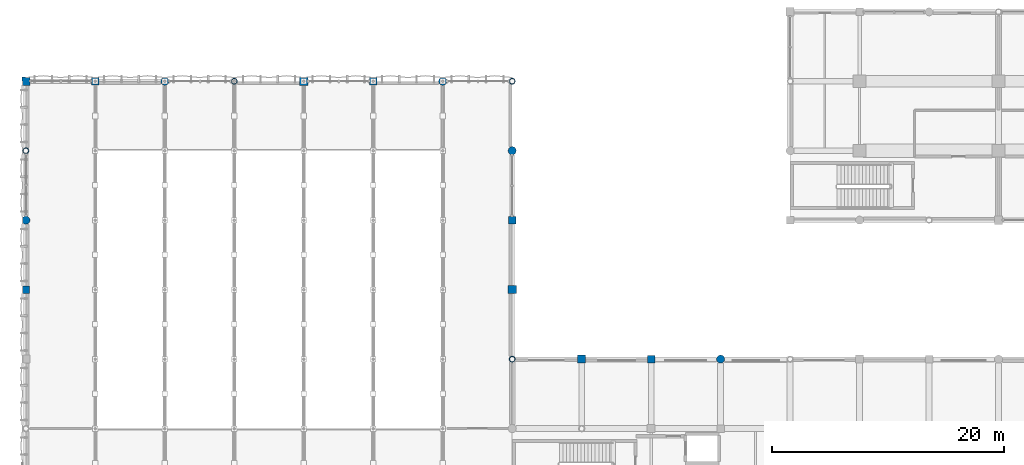
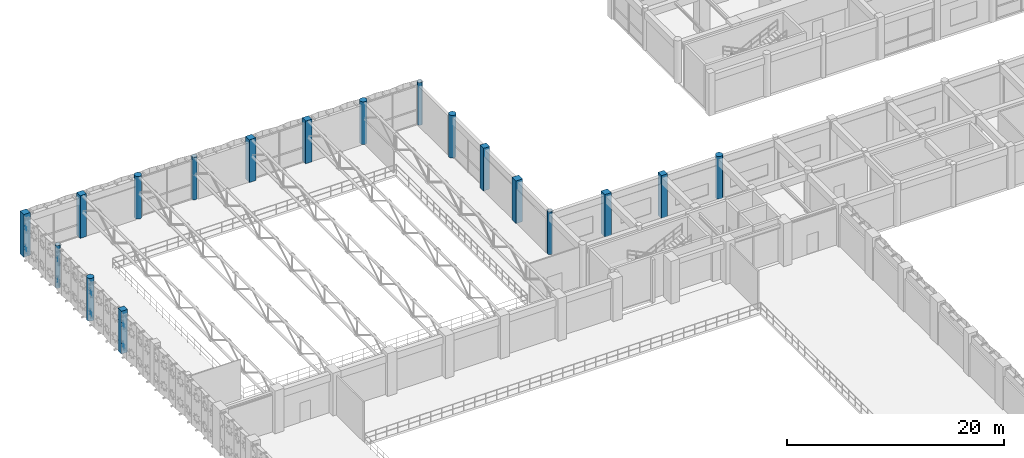
# One storey, part 7 of 123: 18 columns.
"""IFC4 building model written with IfcOpenShell, lengths in metres."""

from ifc_helpers import new_model, si_unit, direction, frame, origin, origin_2d, place, context, subcontext, project, spatial, rectangle, circle, hollow_circle, extrude, material, material_profile, profile_set, type_object, element, save


model = new_model("IFC4")

# Units and contexts
model_context = context("Model", 3, precision=1e-05, world=origin(), true_north=direction((0.0, 1.0)))
body_context = subcontext(model_context, "Body", "Model", "MODEL_VIEW")
ifc_project = project(units=[si_unit("LENGTHUNIT", "METRE"), si_unit("AREAUNIT", "SQUARE_METRE"), si_unit("VOLUMEUNIT", "CUBIC_METRE"), si_unit("PLANEANGLEUNIT", "RADIAN"), si_unit("MASSUNIT", "GRAM", prefix="KILO"), si_unit("THERMODYNAMICTEMPERATUREUNIT", "KELVIN"), si_unit("POWERUNIT", "WATT")], contexts=[model_context])

# Site, building, storey
site_placement = place(None, origin())
site = spatial("IfcSite", under=ifc_project, at=site_placement, CompositionType="ELEMENT")
building_placement = place(site_placement, origin())
building = spatial("IfcBuilding", under=site, at=building_placement, Name="Phaisarnlok Congress Hotel", CompositionType="ELEMENT")
storey_placement = place(building_placement, frame((0.0, 0.0, 15.0)))
storey = spatial("IfcBuildingStorey", under=building, at=storey_placement, Name="L03", CompositionType="ELEMENT", Elevation=15.0)

# Columns
ifc_material_1 = material(Name="Concrete C50/60", Category="concrete")
ifc_material_profile_1 = material_profile(ifc_material_1, rectangle(XDim=0.64990234375, YDim=0.64990234375, at=origin_2d()), Name="RC 650x650")
ifc_profile_set_1 = profile_set([ifc_material_profile_1], Name="Concrete C50/60")
column_type_1 = type_object("IfcColumnType", Name="COL-RC-650", PredefinedType="COLUMN", material=ifc_profile_set_1)
for number, where, z_axis, x_axis, name in (
    (1, (6.0, 120.0, 0.0), (0.0, 0.0, 1.0), (1.0, 0.0, 0.0), "Column C-04 (L03)"),
    (2, (30.0, 120.0, 0.0), (0.0, 0.0, 1.0), (1.0, 0.0, 0.0), "Column C-04 (L03)"),
    (3, (42.0, 108.0, 0.0), (0.0, 0.0, 1.0), (1.0, 0.0, 0.0), "Column C-04 (L03)"),
    (4, (54.0, 96.0, 0.0), (0.0, 0.0, 1.0), (1.0, 0.0, 0.0), "Column C-04 (L03)"),
):
    element("IfcColumn", number, at=place(storey_placement, frame(where, z_axis=z_axis, x_axis=x_axis)), inside=storey, type_object=column_type_1, Name=name, PredefinedType="COLUMN", context=body_context, shape_type="SweptSolid", body=[
        extrude(rectangle(XDim=0.64990234375, YDim=0.64990234375, at=origin_2d()), origin(), (0.0, 0.0, 1.0), 4.800048828125),
    ])
ifc_material_profile_2 = material_profile(ifc_material_1, rectangle(XDim=0.64990234375, YDim=0.64990234375, at=origin_2d()), Name="RC 650x650")
ifc_profile_set_2 = profile_set([ifc_material_profile_2], Name="Concrete C50/60")
column_type_2 = type_object("IfcColumnType", Name="COL-RC-650-EXT", PredefinedType="COLUMN", material=ifc_profile_set_2)
column_1_placement = place(storey_placement, frame((0.0, 102.0, 0.0), z_axis=(0.0, 0.0, 1.0), x_axis=(1.0, 0.0, 0.0)))
element("IfcColumn", 5, at=column_1_placement, inside=storey, type_object=column_type_2, Name="Column C-04E (L03)", PredefinedType="COLUMN", context=body_context, shape_type="SweptSolid", body=[
    extrude(rectangle(XDim=0.64990234375, YDim=0.64990234375, at=origin_2d()), origin(), (0.0, 0.0, 1.0), 4.800048828125),
])
ifc_material_profile_3 = material_profile(ifc_material_1, rectangle(XDim=0.699951171875, YDim=0.699951171875, at=origin_2d()), Name="RC 700x700")
ifc_profile_set_3 = profile_set([ifc_material_profile_3], Name="Concrete C50/60")
column_type_3 = type_object("IfcColumnType", Name="COL-RC-700", PredefinedType="COLUMN", material=ifc_profile_set_3)
for number, where, z_axis, x_axis, name in (
    (6, (24.0, 120.0, 0.0), (0.0, 0.0, 1.0), (1.0, 0.0, 0.0), "Column C-05 (L03)"),
    (7, (42.0, 102.0, 0.0), (0.0, 0.0, 1.0), (1.0, 0.0, 0.0), "Column C-05 (L03)"),
    (8, (48.0, 96.0, 0.0), (0.0, 0.0, 1.0), (1.0, 0.0, 0.0), "Column C-05 (L03)"),
):
    element("IfcColumn", number, at=place(storey_placement, frame(where, z_axis=z_axis, x_axis=x_axis)), inside=storey, type_object=column_type_3, Name=name, PredefinedType="COLUMN", context=body_context, shape_type="SweptSolid", body=[
        extrude(rectangle(XDim=0.699951171875, YDim=0.699951171875, at=origin_2d()), origin(), (0.0, 0.0, 1.0), 4.800048828125),
    ])
ifc_material_profile_4 = material_profile(ifc_material_1, rectangle(XDim=0.699951171875, YDim=0.699951171875, at=origin_2d()), Name="RC 700x700")
ifc_profile_set_4 = profile_set([ifc_material_profile_4], Name="Concrete C50/60")
column_type_4 = type_object("IfcColumnType", Name="COL-RC-700-EXT", PredefinedType="COLUMN", material=ifc_profile_set_4)
column_2_placement = place(storey_placement, frame((0.0, 120.0, 0.0), z_axis=(0.0, 0.0, 1.0), x_axis=(1.0, 0.0, 0.0)))
element("IfcColumn", 9, at=column_2_placement, inside=storey, type_object=column_type_4, Name="Column C-05E (L03)", PredefinedType="COLUMN", context=body_context, shape_type="SweptSolid", body=[
    extrude(rectangle(XDim=0.699951171875, YDim=0.699951171875, at=origin_2d()), origin(), (0.0, 0.0, 1.0), 4.800048828125),
])
ifc_material_profile_5 = material_profile(ifc_material_1, circle(Radius=0.35009765625, at=origin_2d()), Name="RCC D700")
ifc_profile_set_5 = profile_set([ifc_material_profile_5], Name="Concrete C50/60")
column_type_5 = type_object("IfcColumnType", Name="COL-RCC-700", PredefinedType="COLUMN", material=ifc_profile_set_5)
for number, where, z_axis, x_axis, name in (
    (10, (12.0, 120.0, 0.0), (0.0, 0.0, 1.0), (1.0, 0.0, 0.0), "Column C-13 (L03)"),
    (11, (36.0, 120.0, 0.0), (0.0, 0.0, 1.0), (1.0, 0.0, 0.0), "Column C-13 (L03)"),
    (12, (42.0, 114.0, 0.0), (0.0, 0.0, 1.0), (1.0, 0.0, 0.0), "Column C-13 (L03)"),
    (13, (60.0, 96.0, 0.0), (0.0, 0.0, 1.0), (1.0, 0.0, 0.0), "Column C-13 (L03)"),
):
    element("IfcColumn", number, at=place(storey_placement, frame(where, z_axis=z_axis, x_axis=x_axis)), inside=storey, type_object=column_type_5, Name=name, PredefinedType="COLUMN", context=body_context, shape_type="SweptSolid", body=[
        extrude(circle(Radius=0.35009765625, at=origin_2d()), origin(), (0.0, 0.0, 1.0), 4.800048828125),
    ])
ifc_material_profile_6 = material_profile(ifc_material_1, circle(Radius=0.35009765625, at=origin_2d()), Name="RCC D700")
ifc_profile_set_6 = profile_set([ifc_material_profile_6], Name="Concrete C50/60")
column_type_6 = type_object("IfcColumnType", Name="COL-RCC-700-EXT", PredefinedType="COLUMN", material=ifc_profile_set_6)
column_3_placement = place(storey_placement, frame((0.0, 108.0, 0.0), z_axis=(0.0, 0.0, 1.0), x_axis=(1.0, 0.0, 0.0)))
element("IfcColumn", 14, at=column_3_placement, inside=storey, type_object=column_type_6, Name="Column C-13E (L03)", PredefinedType="COLUMN", context=body_context, shape_type="SweptSolid", body=[
    extrude(circle(Radius=0.35009765625, at=origin_2d()), origin(), (0.0, 0.0, 1.0), 4.800048828125),
])
ifc_material_2 = material(Name="Steel S355", Category="steel")
ifc_material_profile_7 = material_profile(ifc_material_2, hollow_circle(Radius=0.25390625, WallThickness=0.02490234375, at=origin_2d()), Name="CHS 508x25")
ifc_profile_set_7 = profile_set([ifc_material_profile_7], Name="Steel S355")
column_type_7 = type_object("IfcColumnType", Name="COL-STL-CHS508", PredefinedType="COLUMN", material=ifc_profile_set_7)
for number, where, z_axis, x_axis, name in (
    (15, (18.0, 120.0, 0.0), (0.0, 0.0, 1.0), (1.0, 0.0, 0.0), "Column SC-03 (L03)"),
    (16, (42.0, 96.0, 0.0), (0.0, 0.0, 1.0), (1.0, 0.0, 0.0), "Column SC-03 (L03)"),
    (17, (42.0, 120.0, 0.0), (0.0, 0.0, 1.0), (1.0, 0.0, 0.0), "Column SC-03 (L03)"),
):
    element("IfcColumn", number, at=place(storey_placement, frame(where, z_axis=z_axis, x_axis=x_axis)), inside=storey, type_object=column_type_7, Name=name, PredefinedType="COLUMN", context=body_context, shape_type="SweptSolid", body=[
        extrude(hollow_circle(Radius=0.25390625, WallThickness=0.02490234375, at=origin_2d()), origin(), (0.0, 0.0, 1.0), 4.800048828125),
    ])
ifc_material_profile_8 = material_profile(ifc_material_2, hollow_circle(Radius=0.25390625, WallThickness=0.02490234375, at=origin_2d()), Name="CHS 508x25")
ifc_profile_set_8 = profile_set([ifc_material_profile_8], Name="Steel S355")
column_type_8 = type_object("IfcColumnType", Name="COL-STL-CHS508-EXT", PredefinedType="COLUMN", material=ifc_profile_set_8)
column_4_placement = place(storey_placement, frame((0.0, 114.0, 0.0), z_axis=(0.0, 0.0, 1.0), x_axis=(1.0, 0.0, 0.0)))
element("IfcColumn", 18, at=column_4_placement, inside=storey, type_object=column_type_8, Name="Column SC-03E (L03)", PredefinedType="COLUMN", context=body_context, shape_type="SweptSolid", body=[
    extrude(hollow_circle(Radius=0.25390625, WallThickness=0.02490234375, at=origin_2d()), origin(), (0.0, 0.0, 1.0), 4.800048828125),
])

save(model, "model.ifc")
